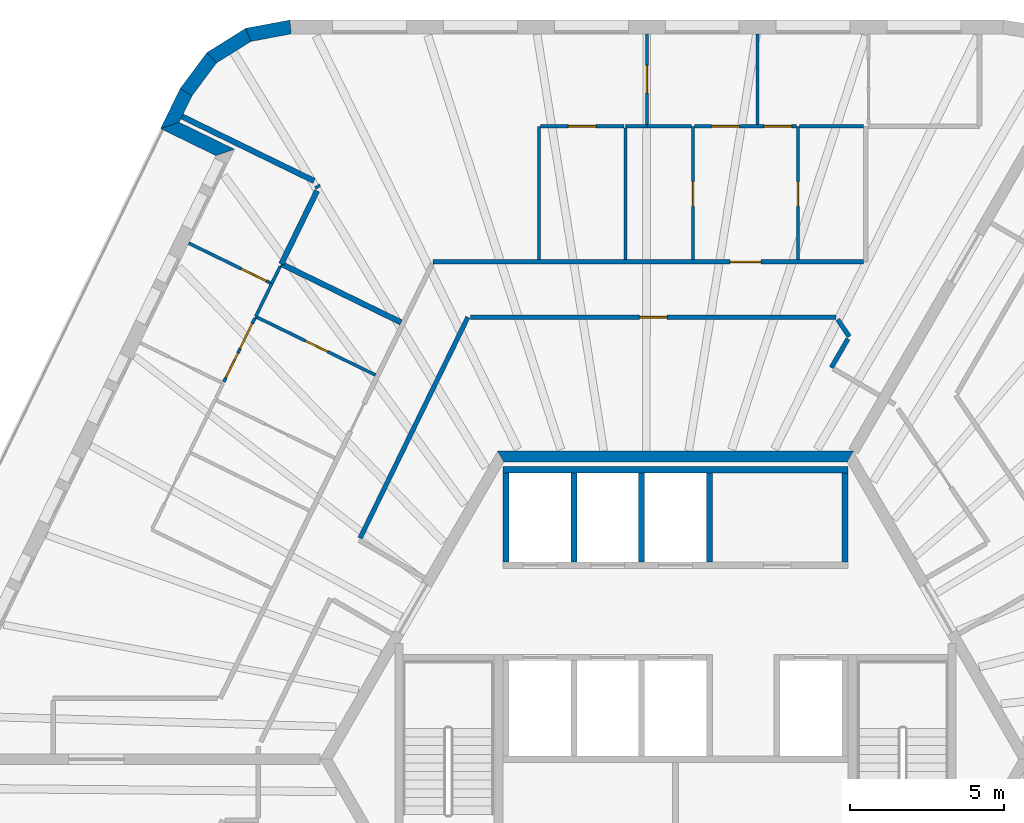
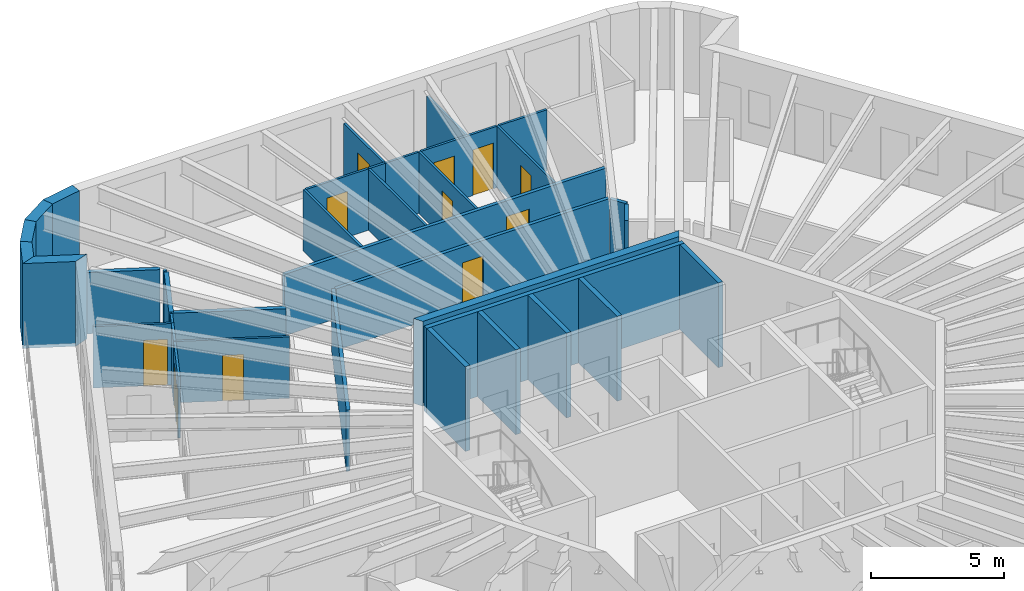
# One storey, part 8 of 11: 37 walls, 12 doors, 12 openings.
"""IFC4 building model written with IfcOpenShell, lengths in metres."""

from ifc_helpers import new_model, si_unit, direction, frame, frame_2d, origin, place, context, subcontext, project, spatial, polyline, rectangle, outline, extrude, material, layer, layer_set, type_object, element, fill, save


model = new_model("IFC4")

# Units and contexts
model_context = context("Model", 3, precision=1e-05, world=origin(), true_north=direction((0.0, 1.0)))
body_context = subcontext(model_context, "Body", "Model", "MODEL_VIEW")
ifc_project = project(units=[si_unit("LENGTHUNIT", "METRE"), si_unit("AREAUNIT", "SQUARE_METRE"), si_unit("VOLUMEUNIT", "CUBIC_METRE"), si_unit("PLANEANGLEUNIT", "RADIAN"), si_unit("MASSUNIT", "GRAM", prefix="KILO")], contexts=[model_context])

# Site, building, storey
site_placement = place(None, origin())
site = spatial("IfcSite", under=ifc_project, at=site_placement, CompositionType="ELEMENT")
building_placement = place(site_placement, origin())
building = spatial("IfcBuilding", under=site, at=building_placement, Name="Tarnside Tower", CompositionType="ELEMENT")
storey_placement = place(building_placement, frame((0.0, 0.0, 365.10009765625)))
storey = spatial("IfcBuildingStorey", under=building, at=storey_placement, Name="L88", CompositionType="ELEMENT", Elevation=365.10009765625)

# Wall
ifc_material_1 = material(Name="Gypsum board partition on steel studs", Category="steel")
ifc_layer_1 = layer(ifc_material_1, 0.10009765625)
ifc_layer_set_1 = layer_set([ifc_layer_1], Name="Bathroom wall 100")
wall_type_1 = type_object("IfcWallType", Name="Bathroom wall 100", PredefinedType="PARTITIONING", material=ifc_layer_set_1)
wall_1_placement = place(storey_placement, frame((-1.625244140625, 20.550048828125, 0.0), z_axis=(0.0, 0.0, 1.0), x_axis=(1.0, 0.0, 0.0)))
element("IfcWall", 1, at=wall_1_placement, inside=storey, type_object=wall_type_1, Name="Bathroom wall 28072", PredefinedType="PARTITIONING", context=body_context, shape_type="SweptSolid", body=[
    extrude(rectangle(XDim=0.695556640625, YDim=0.10009765625, at=frame_2d((0.34765625, 0.0))), origin(), (0.0, 0.0, 1.0), 2.81982421875),
])

# Wall, opening, door
wall_2_placement = place(storey_placement, frame((3.974609375, 16.22509765625, 0.0), z_axis=(0.0, 0.0, 1.0), x_axis=(0.0, 1.0, 0.0)))
wall_2 = element("IfcWall", 2, at=wall_2_placement, inside=storey, type_object=wall_type_1, Name="Bathroom wall 28079", PredefinedType="PARTITIONING", context=body_context, shape_type="SweptSolid", body=[
    extrude(rectangle(XDim=4.324951171875, YDim=0.10009765625, at=frame_2d((2.16259765625, 0.0))), origin(), (0.0, 0.0, 1.0), 2.81982421875),
])
opening_1_placement = place(wall_2_placement, frame((1.72509765625, 0.0, 0.0)))
opening_1 = element("IfcOpeningElement", 3, at=opening_1_placement, cuts=wall_2, Name="Opening D-B1", PredefinedType="OPENING", context=body_context, shape_type="SweptSolid", body=[
    extrude(rectangle(XDim=0.800048828125, YDim=2.10009765625, at=frame_2d((0.39990234375, 1.050048828125))), frame((0.0, 0.06005859375, 0.0), z_axis=(0.0, -1.0, 0.0), x_axis=(1.0, 0.0, 0.0)), (0.0, 0.0, 1.0), 0.1201171875),
])
ifc_material_2 = material(Name="Timber door leaf", Category="wood")
door_type_1 = type_object("IfcDoorType", Name="Bathroom door 800", OperationType="NOTDEFINED", PredefinedType="DOOR", material=ifc_material_2)
door_1_placement = place(opening_1_placement, origin())
door_1 = element("IfcDoor", 4, at=door_1_placement, inside=storey, type_object=door_type_1, Name="Bathroom door 28002", OperationType="SINGLE_SWING_RIGHT", OverallHeight=2.10009765625, OverallWidth=0.800048828125, PredefinedType="DOOR", context=body_context, shape_type="SweptSolid", body=[
    extrude(rectangle(XDim=0.800048828125, YDim=2.10009765625, at=frame_2d((0.39990234375, 1.050048828125))), frame((0.0, 0.02490234375, 0.0), z_axis=(0.0, -1.0, 0.0), x_axis=(1.0, 0.0, 0.0)), (0.0, 0.0, 1.0), 0.050048828125),
])
fill(opening_1, door_1)

wall_3_placement = place(storey_placement, frame((0.57470703125, 20.550048828125, 0.0), z_axis=(0.0, 0.0, 1.0), x_axis=(0.0, -1.0, 0.0)))
wall_3 = element("IfcWall", 5, at=wall_3_placement, inside=storey, type_object=wall_type_1, Name="Bathroom wall 28082", PredefinedType="PARTITIONING", context=body_context, shape_type="SweptSolid", body=[
    extrude(rectangle(XDim=4.324951171875, YDim=0.10009765625, at=frame_2d((2.16259765625, 0.0))), origin(), (0.0, 0.0, 1.0), 2.81982421875),
])
opening_2_placement = place(wall_3_placement, frame((1.800048828125, 0.0, 0.0)))
opening_2 = element("IfcOpeningElement", 6, at=opening_2_placement, cuts=wall_3, Name="Opening D-B1", PredefinedType="OPENING", context=body_context, shape_type="SweptSolid", body=[
    extrude(rectangle(XDim=0.800048828125, YDim=2.10009765625, at=frame_2d((0.39990234375, 1.050048828125))), frame((0.0, 0.06005859375, 0.0), z_axis=(0.0, -1.0, 0.0), x_axis=(1.0, 0.0, 0.0)), (0.0, 0.0, 1.0), 0.1201171875),
])
door_2_placement = place(opening_2_placement, origin())
door_2 = element("IfcDoor", 7, at=door_2_placement, inside=storey, type_object=door_type_1, Name="Bathroom door 28013", OperationType="SINGLE_SWING_LEFT", OverallHeight=2.10009765625, OverallWidth=0.800048828125, PredefinedType="DOOR", context=body_context, shape_type="SweptSolid", body=[
    extrude(rectangle(XDim=0.800048828125, YDim=2.10009765625, at=frame_2d((0.39990234375, 1.050048828125))), frame((0.0, 0.02490234375, 0.0), z_axis=(0.0, -1.0, 0.0), x_axis=(1.0, 0.0, 0.0)), (0.0, 0.0, 1.0), 0.050048828125),
])
fill(opening_2, door_2)

# Walls
wall_4_placement = place(storey_placement, frame((6.1015625, 20.550048828125, 0.0), z_axis=(0.0, 0.0, 1.0), x_axis=(-1.0, 0.0, 0.0)))
element("IfcWall", 8, at=wall_4_placement, inside=storey, type_object=wall_type_1, Name="Bathroom wall 28083", PredefinedType="PARTITIONING", context=body_context, shape_type="SweptSolid", body=[
    extrude(rectangle(XDim=2.078857421875, YDim=0.10009765625, at=frame_2d((1.03955078125, 0.0))), origin(), (0.0, 0.0, 1.0), 2.81982421875),
])
wall_5_placement = place(storey_placement, frame((-0.93359375, 20.550048828125, 0.0), z_axis=(0.0, 0.0, 1.0), x_axis=(1.0, 0.0, 0.0)))
element("IfcWall", 9, at=wall_5_placement, inside=storey, type_object=wall_type_1, Name="Bathroom wall 28086", PredefinedType="PARTITIONING", context=body_context, shape_type="SweptSolid", body=[
    extrude(rectangle(XDim=1.458251953125, YDim=0.10009765625, at=frame_2d((0.72900390625, 0.0))), origin(), (0.0, 0.0, 1.0), 2.81982421875),
])
wall_6_placement = place(storey_placement, frame((-1.625244140625, 20.5, 0.0), z_axis=(0.0, 0.0, 1.0), x_axis=(0.0, -1.0, 0.0)))
element("IfcWall", 10, at=wall_6_placement, inside=storey, type_object=wall_type_1, Name="Bathroom wall 28087", PredefinedType="PARTITIONING", context=body_context, shape_type="SweptSolid", body=[
    extrude(rectangle(XDim=4.27490234375, YDim=0.10009765625, at=frame_2d((2.137451171875, 0.0))), origin(), (0.0, 0.0, 1.0), 2.81982421875),
])

# Wall, opening, door
wall_7_placement = place(storey_placement, frame((-9.7421875, 12.47509765625, 0.0), z_axis=(0.0, 0.0, 1.0), x_axis=(-0.898786890582, 0.438385817879, 0.0)))
wall_7 = element("IfcWall", 11, at=wall_7_placement, inside=storey, type_object=wall_type_1, Name="Bathroom wall 28093", PredefinedType="PARTITIONING", context=body_context, shape_type="SweptSolid", body=[
    extrude(rectangle(XDim=4.324951171875, YDim=0.10009765625, at=frame_2d((2.16259765625, 0.0))), origin(), (0.0, 0.0, 1.0), 2.81982421875),
])
opening_3_placement = place(wall_7_placement, frame((1.72509765625, 0.0, 0.0)))
opening_3 = element("IfcOpeningElement", 12, at=opening_3_placement, cuts=wall_7, Name="Opening D-B1", PredefinedType="OPENING", context=body_context, shape_type="SweptSolid", body=[
    extrude(rectangle(XDim=0.800048828125, YDim=2.10009765625, at=frame_2d((0.39990234375, 1.050048828125))), frame((0.0, 0.06005859375, 0.0), z_axis=(0.0, -1.0, 0.0), x_axis=(1.0, 0.0, 0.0)), (0.0, 0.0, 1.0), 0.1201171875),
])
door_3_placement = place(opening_3_placement, origin())
door_3 = element("IfcDoor", 13, at=door_3_placement, inside=storey, type_object=door_type_1, Name="Bathroom door 28016", OperationType="SINGLE_SWING_RIGHT", OverallHeight=2.10009765625, OverallWidth=0.800048828125, PredefinedType="DOOR", context=body_context, shape_type="SweptSolid", body=[
    extrude(rectangle(XDim=0.800048828125, YDim=2.10009765625, at=frame_2d((0.39990234375, 1.050048828125))), frame((0.0, 0.02490234375, 0.0), z_axis=(0.0, -1.0, 0.0), x_axis=(1.0, 0.0, 0.0)), (0.0, 0.0, 1.0), 0.050048828125),
])
fill(opening_3, door_3)

# Walls
wall_8_placement = place(storey_placement, frame((-12.835205078125, 15.999755859375, 0.0), z_axis=(0.0, 0.0, 1.0), x_axis=(-0.43824583471, -0.898855154271, 0.0)))
element("IfcWall", 14, at=wall_8_placement, inside=storey, type_object=wall_type_1, Name="Bathroom wall 28096", PredefinedType="PARTITIONING", context=body_context, shape_type="SweptSolid", body=[
    extrude(rectangle(XDim=0.622314453125, YDim=0.10009765625, at=frame_2d((0.31103515625, 0.0))), origin(), (0.0, 0.0, 1.0), 2.81982421875),
])
wall_9_placement = place(storey_placement, frame((-13.10791015625, 15.4404296875, 0.0), z_axis=(0.0, 0.0, 1.0), x_axis=(-0.438423632021, -0.898768445644, 0.0)))
element("IfcWall", 15, at=wall_9_placement, inside=storey, type_object=wall_type_1, Name="Bathroom wall 28097", PredefinedType="PARTITIONING", context=body_context, shape_type="SweptSolid", body=[
    extrude(rectangle(XDim=1.191650390625, YDim=0.10009765625, at=frame_2d((0.595703125, 0.0))), origin(), (0.0, 0.0, 1.0), 2.81982421875),
])
ifc_material_3 = material(Name="Concrete C50/60", Category="concrete")
ifc_layer_2 = layer(ifc_material_3, 0.35009765625)
ifc_layer_set_2 = layer_set([ifc_layer_2], Name="Core wall Z4 350 C50/60")
wall_type_2 = type_object("IfcWallType", Name="Core wall Z4 350 C50/60", PredefinedType="SHEAR", material=ifc_layer_set_2)
wall_10_placement = place(storey_placement, frame((5.672607421875, 9.824951171875, -0.150146484375), z_axis=(0.0, 0.0, 1.0), x_axis=(-1.0, 0.0, 0.0)))
element("IfcWall", 16, at=wall_10_placement, inside=storey, type_object=wall_type_2, Name="L88 core wall face 1", PredefinedType="SHEAR", context=body_context, shape_type="SweptSolid", body=[
    extrude(outline(polyline([(-0.10107421875, -0.175048828125), (11.4462890625, -0.175048828125), (11.244140625, 0.175048828125), (0.10107421875, 0.175048828125), (-0.10107421875, -0.175048828125)])), origin(), (0.0, 0.0, 1.0), 3.900146484375),
])

# Wall, opening, door
ifc_layer_3 = layer(ifc_material_1, 0.14990234375)
ifc_layer_set_3 = layer_set([ifc_layer_3], Name="Corridor wall 150 EI 60")
wall_type_3 = type_object("IfcWallType", Name="Corridor wall 150 EI 60", PredefinedType="PARTITIONING", material=ifc_layer_set_3)
wall_11_placement = place(storey_placement, frame((6.099609375, 16.14990234375, 0.0), z_axis=(0.0, 0.0, 1.0), x_axis=(-1.0, 0.0, 0.0)))
wall_11 = element("IfcWall", 17, at=wall_11_placement, inside=storey, type_object=wall_type_3, Name="Corridor wall 28001", PredefinedType="PARTITIONING", context=body_context, shape_type="SweptSolid", body=[
    extrude(rectangle(XDim=13.966064453125, YDim=0.14990234375, at=frame_2d((6.98291015625, 0.0))), origin(), (0.0, 0.0, 1.0), 2.81982421875),
])
opening_4_placement = place(wall_11_placement, frame((3.324951171875, 0.0, 0.0)))
opening_4 = element("IfcOpeningElement", 18, at=opening_4_placement, cuts=wall_11, Name="Opening D-E1", PredefinedType="OPENING", context=body_context, shape_type="SweptSolid", body=[
    extrude(rectangle(XDim=1.0, YDim=2.10009765625, at=frame_2d((0.5, 1.050048828125))), frame((0.0, 0.0849609375, 0.0), z_axis=(0.0, -1.0, 0.0), x_axis=(1.0, 0.0, 0.0)), (0.0, 0.0, 1.0), 0.169921875),
])
door_type_2 = type_object("IfcDoorType", Name="Unit entrance door 1000 FD30S", OperationType="NOTDEFINED", PredefinedType="DOOR", material=ifc_material_2)
door_4_placement = place(opening_4_placement, origin())
door_4 = element("IfcDoor", 19, at=door_4_placement, inside=storey, type_object=door_type_2, Name="Unit door 28001", OperationType="SINGLE_SWING_RIGHT", OverallHeight=2.10009765625, OverallWidth=1.0, PredefinedType="DOOR", context=body_context, shape_type="SweptSolid", body=[
    extrude(rectangle(XDim=1.0, YDim=2.10009765625, at=frame_2d((0.5, 1.050048828125))), frame((0.0, 0.02490234375, 0.0), z_axis=(0.0, -1.0, 0.0), x_axis=(1.0, 0.0, 0.0)), (0.0, 0.0, 1.0), 0.050048828125),
])
fill(opening_4, door_4)

# Wall
wall_12_placement = place(storey_placement, frame((-10.23974609375, 7.177734375, 0.0), z_axis=(0.0, 0.0, 1.0), x_axis=(0.438356120288, 0.898801375058, 0.0)))
element("IfcWall", 20, at=wall_12_placement, inside=storey, type_object=wall_type_3, Name="Corridor wall 28021", PredefinedType="PARTITIONING", context=body_context, shape_type="SweptSolid", body=[
    extrude(rectangle(XDim=7.97998046875, YDim=0.14990234375, at=frame_2d((3.989990234375, 0.0))), origin(), (0.0, 0.0, 1.0), 2.81982421875),
])

# Wall, opening, door
wall_13_placement = place(storey_placement, frame((-6.658203125, 14.35009765625, 0.0), z_axis=(0.0, 0.0, 1.0), x_axis=(1.0, 0.0, 0.0)))
wall_13 = element("IfcWall", 21, at=wall_13_placement, inside=storey, type_object=wall_type_3, Name="Corridor wall 28022", PredefinedType="PARTITIONING", context=body_context, shape_type="SweptSolid", body=[
    extrude(rectangle(XDim=11.875732421875, YDim=0.14990234375, at=frame_2d((5.93798828125, 0.0))), origin(), (0.0, 0.0, 1.0), 2.81982421875),
])
opening_5_placement = place(wall_13_placement, frame((5.48779296875, 0.0, 0.0)))
opening_5 = element("IfcOpeningElement", 22, at=opening_5_placement, cuts=wall_13, Name="Opening D-S1", PredefinedType="OPENING", context=body_context, shape_type="SweptSolid", body=[
    extrude(rectangle(XDim=0.89990234375, YDim=2.10009765625, at=frame_2d((0.449951171875, 1.050048828125))), frame((0.0, 0.0849609375, 0.0), z_axis=(0.0, -1.0, 0.0), x_axis=(1.0, 0.0, 0.0)), (0.0, 0.0, 1.0), 0.169921875),
])
door_type_3 = type_object("IfcDoorType", Name="Service room door 900 FD30S", OperationType="NOTDEFINED", PredefinedType="DOOR", material=ifc_material_2)
door_5_placement = place(opening_5_placement, origin())
door_5 = element("IfcDoor", 23, at=door_5_placement, inside=storey, type_object=door_type_3, Name="Service door 28064", OperationType="SINGLE_SWING_RIGHT", OverallHeight=2.10009765625, OverallWidth=0.89990234375, PredefinedType="DOOR", context=body_context, shape_type="SweptSolid", body=[
    extrude(rectangle(XDim=0.89990234375, YDim=2.10009765625, at=frame_2d((0.449951171875, 1.050048828125))), frame((0.0, 0.02490234375, 0.0), z_axis=(0.0, -1.0, 0.0), x_axis=(1.0, 0.0, 0.0)), (0.0, 0.0, 1.0), 0.050048828125),
])
fill(opening_5, door_5)

# Walls
wall_14_placement = place(storey_placement, frame((5.26806640625, 14.27490234375, 0.0), z_axis=(0.0, 0.0, 1.0), x_axis=(0.559416337009, -0.828886820915, 0.0)))
element("IfcWall", 24, at=wall_14_placement, inside=storey, type_object=wall_type_3, Name="Corridor wall 28023", PredefinedType="PARTITIONING", context=body_context, shape_type="SweptSolid", body=[
    extrude(rectangle(XDim=0.667724609375, YDim=0.14990234375, at=frame_2d((0.333984375, 0.0))), origin(), (0.0, 0.0, 1.0), 2.81982421875),
])
wall_15_placement = place(storey_placement, frame((5.599853515625, 13.649169921875, 0.0), z_axis=(0.0, 0.0, 1.0), x_axis=(-0.500126914667, -0.865952117167, 0.0)))
element("IfcWall", 25, at=wall_15_placement, inside=storey, type_object=wall_type_3, Name="Corridor wall 28024", PredefinedType="PARTITIONING", context=body_context, shape_type="SweptSolid", body=[
    extrude(rectangle(XDim=1.079833984375, YDim=0.14990234375, at=frame_2d((0.5400390625, 0.0))), origin(), (0.0, 0.0, 1.0), 2.81982421875),
])
ifc_layer_4 = layer(ifc_material_1, 0.179931640625)
ifc_layer_set_4 = layer_set([ifc_layer_4], Name="Demising wall 180 EI 60")
wall_type_4 = type_object("IfcWallType", Name="Demising wall 180 EI 60", PredefinedType="PARTITIONING", material=ifc_layer_set_4)
wall_16_placement = place(storey_placement, frame((-12.796630859375, 16.078857421875, 0.0), z_axis=(0.0, 0.0, 1.0), x_axis=(0.898786890582, -0.438385817879, 0.0)))
element("IfcWall", 26, at=wall_16_placement, inside=storey, type_object=wall_type_4, Name="Demising wall 28075", PredefinedType="PARTITIONING", context=body_context, shape_type="SweptSolid", body=[
    extrude(rectangle(XDim=4.324951171875, YDim=0.179931640625, at=frame_2d((2.16259765625, 0.0))), origin(), (0.0, 0.0, 1.0), 2.81982421875),
])
wall_17_placement = place(storey_placement, frame((-16.02392578125, 20.867919921875, 0.0), z_axis=(0.0, 0.0, 1.0), x_axis=(0.898790554329, -0.438378306317, 0.0)))
element("IfcWall", 27, at=wall_17_placement, inside=storey, type_object=wall_type_4, Name="Demising wall 28076", PredefinedType="PARTITIONING", context=body_context, shape_type="SweptSolid", body=[
    extrude(rectangle(XDim=4.775634765625, YDim=0.179931640625, at=frame_2d((2.3876953125, 0.0))), origin(), (0.0, 0.0, 1.0), 2.81982421875),
])
wall_18_placement = place(storey_placement, frame((-11.6416015625, 18.63037109375, 0.0), z_axis=(0.0, 0.0, 1.0), x_axis=(0.53069346288, -0.847563831494, 0.0)))
element("IfcWall", 28, at=wall_18_placement, inside=storey, type_object=wall_type_4, Name="Demising wall 28077", PredefinedType="PARTITIONING", context=body_context, shape_type="SweptSolid", body=[
    extrude(rectangle(XDim=0.0947265625, YDim=0.179931640625, at=frame_2d((0.04736328125, 0.0))), origin(), (0.0, 0.0, 1.0), 2.81982421875),
])
wall_19_placement = place(storey_placement, frame((-11.637939453125, 18.45458984375, 0.0), z_axis=(0.0, 0.0, 1.0), x_axis=(-0.438336396292, -0.898810994417, 0.0)))
element("IfcWall", 29, at=wall_19_placement, inside=storey, type_object=wall_type_4, Name="Demising wall 28078", PredefinedType="PARTITIONING", context=body_context, shape_type="SweptSolid", body=[
    extrude(rectangle(XDim=2.646728515625, YDim=0.179931640625, at=frame_2d((1.3232421875, 0.0))), origin(), (0.0, 0.0, 1.0), 2.81982421875),
])
ifc_material_4 = material(Name="Concrete C40/50", Category="concrete")
ifc_layer_5 = layer(ifc_material_4, 0.199951171875)
ifc_layer_set_5 = layer_set([ifc_layer_5], Name="Lift shaft wall 200 C40/50")
wall_type_5 = type_object("IfcWallType", Name="Lift shaft wall 200 C40/50", PredefinedType="SHEAR", material=ifc_layer_set_5)
wall_20_placement = place(storey_placement, frame((-5.60009765625, 9.39990234375, -0.25), z_axis=(0.0, 0.0, 1.0), x_axis=(1.0, 0.0, 0.0)))
element("IfcWall", 30, at=wall_20_placement, inside=storey, type_object=wall_type_5, Name="L88 lift shaft back wall R1", PredefinedType="SHEAR", context=body_context, shape_type="SweptSolid", body=[
    extrude(rectangle(XDim=11.2001953125, YDim=0.199951171875, at=frame_2d((5.60009765625, 0.0))), origin(), (0.0, 0.0, 1.0), 3.89990234375),
])
for number, where, z_axis, x_axis, name in (
    (31, (-5.5, 6.39990234375, -0.25), (0.0, 0.0, 1.0), (0.0, 1.0, 0.0), "L88 lift shaft partition R11"),
    (32, (-3.300048828125, 6.39990234375, -0.25), (0.0, 0.0, 1.0), (0.0, 1.0, 0.0), "L88 lift shaft partition R12"),
    (33, (-1.10009765625, 6.39990234375, -0.25), (0.0, 0.0, 1.0), (0.0, 1.0, 0.0), "L88 lift shaft partition R13"),
    (34, (1.10009765625, 6.39990234375, -0.25), (0.0, 0.0, 1.0), (0.0, 1.0, 0.0), "L88 lift shaft partition R14"),
    (35, (5.5, 6.39990234375, -0.25), (0.0, 0.0, 1.0), (0.0, 1.0, 0.0), "L88 lift shaft partition R16"),
):
    element("IfcWall", number, at=place(storey_placement, frame(where, z_axis=z_axis, x_axis=x_axis)), inside=storey, type_object=wall_type_5, Name=name, PredefinedType="SHEAR", context=body_context, shape_type="SweptSolid", body=[
        extrude(rectangle(XDim=2.900146484375, YDim=0.199951171875, at=frame_2d((1.4501953125, 0.0))), origin(), (0.0, 0.0, 1.0), 3.89990234375),
    ])
ifc_material_5 = material(Name="Dark zinc cladding")
ifc_layer_6 = layer(ifc_material_5, 0.10205078125)
ifc_material_6 = material(Name="Concrete C60/75 precast", Category="concrete")
ifc_layer_7 = layer(ifc_material_6, 0.248046875)
ifc_material_7 = material(Name="Mineral wool insulation")
ifc_layer_8 = layer(ifc_material_7, 0.10009765625)
ifc_layer_set_6 = layer_set([ifc_layer_6, ifc_layer_7, ifc_layer_8], Name="Loggia wall 450 zinc faced")
wall_type_6 = type_object("IfcWallType", Name="Loggia wall 450 zinc faced", PredefinedType="SOLIDWALL", material=ifc_layer_set_6)
wall_21_placement = place(storey_placement, frame((-15.890380859375, 21.65478515625, -0.150146484375), z_axis=(0.0, 0.0, 1.0), x_axis=(-0.438319390103, -0.898819287877, 0.0)))
element("IfcWall", 36, at=wall_21_placement, inside=storey, type_object=wall_type_6, Name="Tube wall L88 F2 stub 04", PredefinedType="SOLIDWALL", context=body_context, shape_type="SweptSolid", body=[
    extrude(outline(polyline([(-0.02099609375, -0.22509765625), (1.4248046875, -0.22509765625), (0.974609375, 0.22509765625), (0.02099609375, 0.22509765625), (-0.02099609375, -0.22509765625)])), origin(), (0.0, 0.0, 1.0), 3.900146484375),
])
wall_22_placement = place(storey_placement, frame((-16.416259765625, 20.576416015625, -0.150146484375), z_axis=(0.0, 0.0, 1.0), x_axis=(0.898730898244, -0.438500595829, 0.0)))
element("IfcWall", 37, at=wall_22_placement, inside=storey, type_object=wall_type_6, Name="Tube wall L88 F2 return 05", PredefinedType="SOLIDWALL", context=body_context, shape_type="SweptSolid", body=[
    extrude(outline(polyline([(-0.224853515625, -0.22509765625), (1.77490234375, -0.22509765625), (2.22509765625, 0.22509765625), (0.224853515625, 0.22509765625), (-0.224853515625, -0.22509765625)])), origin(), (0.0, 0.0, 1.0), 3.900146484375),
])

# Wall, opening, door
ifc_layer_9 = layer(ifc_material_1, 0.10009765625)
ifc_layer_set_7 = layer_set([ifc_layer_9], Name="Partition 100")
wall_type_7 = type_object("IfcWallType", Name="Partition 100", PredefinedType="PARTITIONING", material=ifc_layer_set_7)
wall_23_placement = place(storey_placement, frame((-0.931640625, 20.60009765625, 0.0), z_axis=(0.0, 0.0, 1.0), x_axis=(0.0, 1.0, 0.0)))
wall_23 = element("IfcWall", 38, at=wall_23_placement, inside=storey, type_object=wall_type_7, Name="Partition wall 28071", PredefinedType="PARTITIONING", context=body_context, shape_type="SweptSolid", body=[
    extrude(rectangle(XDim=2.949951171875, YDim=0.10009765625, at=frame_2d((1.47509765625, 0.0))), origin(), (0.0, 0.0, 1.0), 2.81982421875),
])
opening_6_placement = place(wall_23_placement, frame((1.02490234375, 0.0, 0.0)))
opening_6 = element("IfcOpeningElement", 39, at=opening_6_placement, cuts=wall_23, Name="Opening D-I1", PredefinedType="OPENING", context=body_context, shape_type="SweptSolid", body=[
    extrude(rectangle(XDim=0.89990234375, YDim=2.10009765625, at=frame_2d((0.449951171875, 1.050048828125))), frame((0.0, 0.06005859375, 0.0), z_axis=(0.0, -1.0, 0.0), x_axis=(1.0, 0.0, 0.0)), (0.0, 0.0, 1.0), 0.1201171875),
])
door_type_4 = type_object("IfcDoorType", Name="Internal door 900", OperationType="NOTDEFINED", PredefinedType="DOOR", material=ifc_material_2)
door_6_placement = place(opening_6_placement, origin())
door_6 = element("IfcDoor", 40, at=door_6_placement, inside=storey, type_object=door_type_4, Name="Internal door 28060", OperationType="SINGLE_SWING_RIGHT", OverallHeight=2.10009765625, OverallWidth=0.89990234375, PredefinedType="DOOR", context=body_context, shape_type="SweptSolid", body=[
    extrude(rectangle(XDim=0.89990234375, YDim=2.10009765625, at=frame_2d((0.449951171875, 1.050048828125))), frame((0.0, 0.02490234375, 0.0), z_axis=(0.0, -1.0, 0.0), x_axis=(1.0, 0.0, 0.0)), (0.0, 0.0, 1.0), 0.050048828125),
])
fill(opening_6, door_6)

# Wall
wall_24_placement = place(storey_placement, frame((-4.42529296875, 16.22509765625, 0.0), z_axis=(0.0, 0.0, 1.0), x_axis=(0.0, 1.0, 0.0)))
element("IfcWall", 41, at=wall_24_placement, inside=storey, type_object=wall_type_7, Name="Partition wall 28073", PredefinedType="PARTITIONING", context=body_context, shape_type="SweptSolid", body=[
    extrude(rectangle(XDim=4.324951171875, YDim=0.10009765625, at=frame_2d((2.16259765625, 0.0))), origin(), (0.0, 0.0, 1.0), 2.81982421875),
])

# Wall, opening, door
wall_25_placement = place(storey_placement, frame((-4.375244140625, 20.550048828125, 0.0), z_axis=(0.0, 0.0, 1.0), x_axis=(1.0, 0.0, 0.0)))
wall_25 = element("IfcWall", 42, at=wall_25_placement, inside=storey, type_object=wall_type_7, Name="Partition wall 28074", PredefinedType="PARTITIONING", context=body_context, shape_type="SweptSolid", body=[
    extrude(rectangle(XDim=2.699951171875, YDim=0.10009765625, at=frame_2d((1.35009765625, 0.0))), origin(), (0.0, 0.0, 1.0), 2.81982421875),
])
opening_7_placement = place(wall_25_placement, frame((0.89990234375, 0.0, 0.0)))
opening_7 = element("IfcOpeningElement", 43, at=opening_7_placement, cuts=wall_25, Name="Opening D-I1", PredefinedType="OPENING", context=body_context, shape_type="SweptSolid", body=[
    extrude(rectangle(XDim=0.89990234375, YDim=2.10009765625, at=frame_2d((0.449951171875, 1.050048828125))), frame((0.0, 0.06005859375, 0.0), z_axis=(0.0, -1.0, 0.0), x_axis=(1.0, 0.0, 0.0)), (0.0, 0.0, 1.0), 0.1201171875),
])
door_7_placement = place(opening_7_placement, origin())
door_7 = element("IfcDoor", 44, at=door_7_placement, inside=storey, type_object=door_type_4, Name="Internal door 28014", OperationType="SINGLE_SWING_LEFT", OverallHeight=2.10009765625, OverallWidth=0.89990234375, PredefinedType="DOOR", context=body_context, shape_type="SweptSolid", body=[
    extrude(rectangle(XDim=0.89990234375, YDim=2.10009765625, at=frame_2d((0.449951171875, 1.050048828125))), frame((0.0, 0.02490234375, 0.0), z_axis=(0.0, -1.0, 0.0), x_axis=(1.0, 0.0, 0.0)), (0.0, 0.0, 1.0), 0.050048828125),
])
fill(opening_7, door_7)

# Wall, openings, doors
wall_26_placement = place(storey_placement, frame((3.9267578125, 20.550048828125, 0.0), z_axis=(0.0, 0.0, 1.0), x_axis=(-1.0, 0.0, 0.0)))
wall_26 = element("IfcWall", 45, at=wall_26_placement, inside=storey, type_object=wall_type_7, Name="Partition wall 28080", PredefinedType="PARTITIONING", context=body_context, shape_type="SweptSolid", body=[
    extrude(rectangle(XDim=3.30419921875, YDim=0.10009765625, at=frame_2d((1.652099609375, 0.0))), origin(), (0.0, 0.0, 1.0), 2.81982421875),
])
opening_8_placement = place(wall_26_placement, frame((0.158203125, 0.0, 0.0)))
opening_8 = element("IfcOpeningElement", 46, at=opening_8_placement, cuts=wall_26, Name="Opening D-I1", PredefinedType="OPENING", context=body_context, shape_type="SweptSolid", body=[
    extrude(rectangle(XDim=0.89990234375, YDim=2.10009765625, at=frame_2d((0.449951171875, 1.050048828125))), frame((0.0, 0.06005859375, 0.0), z_axis=(0.0, -1.0, 0.0), x_axis=(1.0, 0.0, 0.0)), (0.0, 0.0, 1.0), 0.1201171875),
])
opening_9_placement = place(wall_26_placement, frame((1.855224609375, 0.0, 0.0)))
opening_9 = element("IfcOpeningElement", 47, at=opening_9_placement, cuts=wall_26, Name="Opening D-I1", PredefinedType="OPENING", context=body_context, shape_type="SweptSolid", body=[
    extrude(rectangle(XDim=0.89990234375, YDim=2.10009765625, at=frame_2d((0.449951171875, 1.050048828125))), frame((0.0, 0.06005859375, 0.0), z_axis=(0.0, -1.0, 0.0), x_axis=(1.0, 0.0, 0.0)), (0.0, 0.0, 1.0), 0.1201171875),
])
door_8_placement = place(opening_8_placement, origin())
door_8 = element("IfcDoor", 48, at=door_8_placement, inside=storey, type_object=door_type_4, Name="Internal door 28005", OperationType="SINGLE_SWING_LEFT", OverallHeight=2.10009765625, OverallWidth=0.89990234375, PredefinedType="DOOR", context=body_context, shape_type="SweptSolid", body=[
    extrude(rectangle(XDim=0.89990234375, YDim=2.10009765625, at=frame_2d((0.449951171875, 1.050048828125))), frame((0.0, 0.02490234375, 0.0), z_axis=(0.0, -1.0, 0.0), x_axis=(1.0, 0.0, 0.0)), (0.0, 0.0, 1.0), 0.050048828125),
])
fill(opening_8, door_8)
door_9_placement = place(opening_9_placement, origin())
door_9 = element("IfcDoor", 49, at=door_9_placement, inside=storey, type_object=door_type_4, Name="Internal door 28012", OperationType="SINGLE_SWING_LEFT", OverallHeight=2.10009765625, OverallWidth=0.89990234375, PredefinedType="DOOR", context=body_context, shape_type="SweptSolid", body=[
    extrude(rectangle(XDim=0.89990234375, YDim=2.10009765625, at=frame_2d((0.449951171875, 1.050048828125))), frame((0.0, 0.02490234375, 0.0), z_axis=(0.0, -1.0, 0.0), x_axis=(1.0, 0.0, 0.0)), (0.0, 0.0, 1.0), 0.050048828125),
])
fill(opening_9, door_9)

# Wall
wall_27_placement = place(storey_placement, frame((2.66845703125, 23.550048828125, 0.0), z_axis=(0.0, 0.0, 1.0), x_axis=(0.0, -1.0, 0.0)))
element("IfcWall", 50, at=wall_27_placement, inside=storey, type_object=wall_type_7, Name="Partition wall 28085", PredefinedType="PARTITIONING", context=body_context, shape_type="SweptSolid", body=[
    extrude(rectangle(XDim=2.949951171875, YDim=0.10009765625, at=frame_2d((1.47509765625, 0.0))), origin(), (0.0, 0.0, 1.0), 2.81982421875),
])

# Wall, openings, doors
wall_28_placement = place(storey_placement, frame((-13.650634765625, 14.327880859375, 0.0), z_axis=(0.0, 0.0, 1.0), x_axis=(-0.438406989319, -0.898776563845, 0.0)))
wall_28 = element("IfcWall", 51, at=wall_28_placement, inside=storey, type_object=wall_type_7, Name="Partition wall 28094", PredefinedType="PARTITIONING", context=body_context, shape_type="SweptSolid", body=[
    extrude(rectangle(XDim=2.312255859375, YDim=0.10009765625, at=frame_2d((1.15625, 0.0))), origin(), (0.0, 0.0, 1.0), 2.81982421875),
])
opening_10_placement = place(wall_28_placement, frame((1.26220703125, 0.0, 0.0)))
opening_10 = element("IfcOpeningElement", 52, at=opening_10_placement, cuts=wall_28, Name="Opening D-I1", PredefinedType="OPENING", context=body_context, shape_type="SweptSolid", body=[
    extrude(rectangle(XDim=0.89990234375, YDim=2.10009765625, at=frame_2d((0.449951171875, 1.050048828125))), frame((0.0, 0.06005859375, 0.0), z_axis=(0.0, -1.0, 0.0), x_axis=(1.0, 0.0, 0.0)), (0.0, 0.0, 1.0), 0.1201171875),
])
opening_11_placement = place(wall_28_placement, frame((0.207275390625, 0.0, 0.0)))
opening_11 = element("IfcOpeningElement", 53, at=opening_11_placement, cuts=wall_28, Name="Opening D-I1", PredefinedType="OPENING", context=body_context, shape_type="SweptSolid", body=[
    extrude(rectangle(XDim=0.89990234375, YDim=2.10009765625, at=frame_2d((0.449951171875, 1.050048828125))), frame((0.0, 0.06005859375, 0.0), z_axis=(0.0, -1.0, 0.0), x_axis=(1.0, 0.0, 0.0)), (0.0, 0.0, 1.0), 0.1201171875),
])
door_10_placement = place(opening_10_placement, origin())
door_10 = element("IfcDoor", 54, at=door_10_placement, inside=storey, type_object=door_type_4, Name="Internal door 28019", OperationType="SINGLE_SWING_RIGHT", OverallHeight=2.10009765625, OverallWidth=0.89990234375, PredefinedType="DOOR", context=body_context, shape_type="SweptSolid", body=[
    extrude(rectangle(XDim=0.89990234375, YDim=2.10009765625, at=frame_2d((0.449951171875, 1.050048828125))), frame((0.0, 0.02490234375, 0.0), z_axis=(0.0, -1.0, 0.0), x_axis=(1.0, 0.0, 0.0)), (0.0, 0.0, 1.0), 0.050048828125),
])
fill(opening_10, door_10)
door_11_placement = place(opening_11_placement, origin())
door_11 = element("IfcDoor", 55, at=door_11_placement, inside=storey, type_object=door_type_4, Name="Internal door 28023", OperationType="SINGLE_SWING_RIGHT", OverallHeight=2.10009765625, OverallWidth=0.89990234375, PredefinedType="DOOR", context=body_context, shape_type="SweptSolid", body=[
    extrude(rectangle(XDim=0.89990234375, YDim=2.10009765625, at=frame_2d((0.449951171875, 1.050048828125))), frame((0.0, 0.02490234375, 0.0), z_axis=(0.0, -1.0, 0.0), x_axis=(1.0, 0.0, 0.0)), (0.0, 0.0, 1.0), 0.050048828125),
])
fill(opening_11, door_11)

# Wall, opening, door
wall_29_placement = place(storey_placement, frame((-15.804443359375, 16.755615234375, 0.0), z_axis=(0.0, 0.0, 1.0), x_axis=(0.898802642499, -0.438353521528, 0.0)))
wall_29 = element("IfcWall", 56, at=wall_29_placement, inside=storey, type_object=wall_type_7, Name="Partition wall 28098", PredefinedType="PARTITIONING", context=body_context, shape_type="SweptSolid", body=[
    extrude(rectangle(XDim=2.9501953125, YDim=0.10009765625, at=frame_2d((1.47509765625, 0.0))), origin(), (0.0, 0.0, 1.0), 2.81982421875),
])
opening_12_placement = place(wall_29_placement, frame((1.89990234375, 0.0, 0.0)))
opening_12 = element("IfcOpeningElement", 57, at=opening_12_placement, cuts=wall_29, Name="Opening D-I1", PredefinedType="OPENING", context=body_context, shape_type="SweptSolid", body=[
    extrude(rectangle(XDim=0.89990234375, YDim=2.10009765625, at=frame_2d((0.449951171875, 1.050048828125))), frame((0.0, 0.06005859375, 0.0), z_axis=(0.0, -1.0, 0.0), x_axis=(1.0, 0.0, 0.0)), (0.0, 0.0, 1.0), 0.1201171875),
])
door_12_placement = place(opening_12_placement, origin())
door_12 = element("IfcDoor", 58, at=door_12_placement, inside=storey, type_object=door_type_4, Name="Internal door 28022", OperationType="SINGLE_SWING_RIGHT", OverallHeight=2.10009765625, OverallWidth=0.89990234375, PredefinedType="DOOR", context=body_context, shape_type="SweptSolid", body=[
    extrude(rectangle(XDim=0.89990234375, YDim=2.10009765625, at=frame_2d((0.449951171875, 1.050048828125))), frame((0.0, 0.02490234375, 0.0), z_axis=(0.0, -1.0, 0.0), x_axis=(1.0, 0.0, 0.0)), (0.0, 0.0, 1.0), 0.050048828125),
])
fill(opening_12, door_12)

# Walls
ifc_material_8 = material(Name="Facing brick", Category="masonry")
ifc_layer_10 = layer(ifc_material_8, 0.10205078125)
ifc_layer_11 = layer(ifc_material_6, 0.248046875)
ifc_layer_12 = layer(ifc_material_7, 0.10009765625)
ifc_layer_set_8 = layer_set([ifc_layer_10, ifc_layer_11, ifc_layer_12], Name="Tube wall 450 brick faced")
wall_type_8 = type_object("IfcWallType", Name="Tube wall 450 brick faced", PredefinedType="SOLIDWALL", material=ifc_layer_set_8)
wall_30_placement = place(storey_placement, frame((-12.497314453125, 23.77490234375, -0.150146484375), z_axis=(0.0, 0.0, 1.0), x_axis=(-0.982735447009, -0.185016326824, 0.0)))
element("IfcWall", 59, at=wall_30_placement, inside=storey, type_object=wall_type_8, Name="Tube wall L88 F1 chord 01", PredefinedType="SOLIDWALL", context=body_context, shape_type="SweptSolid", body=[
    extrude(outline(polyline([(-0.02099609375, -0.22509765625), (1.43994140625, -0.22509765625), (1.35498046875, 0.22509765625), (0.02099609375, 0.22509765625), (-0.02099609375, -0.22509765625)])), origin(), (0.0, 0.0, 1.0), 3.900146484375),
])
wall_31_placement = place(storey_placement, frame((-13.87060546875, 23.516357421875, -0.150146484375), z_axis=(0.0, 0.0, 1.0), x_axis=(-0.848106239164, -0.52982620461, 0.0)))
element("IfcWall", 60, at=wall_31_placement, inside=storey, type_object=wall_type_8, Name="Tube wall L88 F1 chord 02", PredefinedType="SOLIDWALL", context=body_context, shape_type="SweptSolid", body=[
    extrude(outline(polyline([(-0.04248046875, -0.22509765625), (1.440185546875, -0.22509765625), (1.355224609375, 0.22509765625), (0.04248046875, 0.22509765625), (-0.04248046875, -0.22509765625)])), origin(), (0.0, 0.0, 1.0), 3.900146484375),
])
wall_32_placement = place(storey_placement, frame((-15.055908203125, 22.77587890625, -0.150146484375), z_axis=(0.0, 0.0, 1.0), x_axis=(-0.597089203515, -0.802174845682, 0.0)))
element("IfcWall", 61, at=wall_32_placement, inside=storey, type_object=wall_type_8, Name="Tube wall L88 F1 chord 03", PredefinedType="SOLIDWALL", context=body_context, shape_type="SweptSolid", body=[
    extrude(outline(polyline([(-0.04248046875, -0.22509765625), (1.41845703125, -0.22509765625), (1.37646484375, 0.22509765625), (0.04248046875, 0.22509765625), (-0.04248046875, -0.22509765625)])), origin(), (0.0, 0.0, 1.0), 3.900146484375),
])

save(model, "model.ifc")
